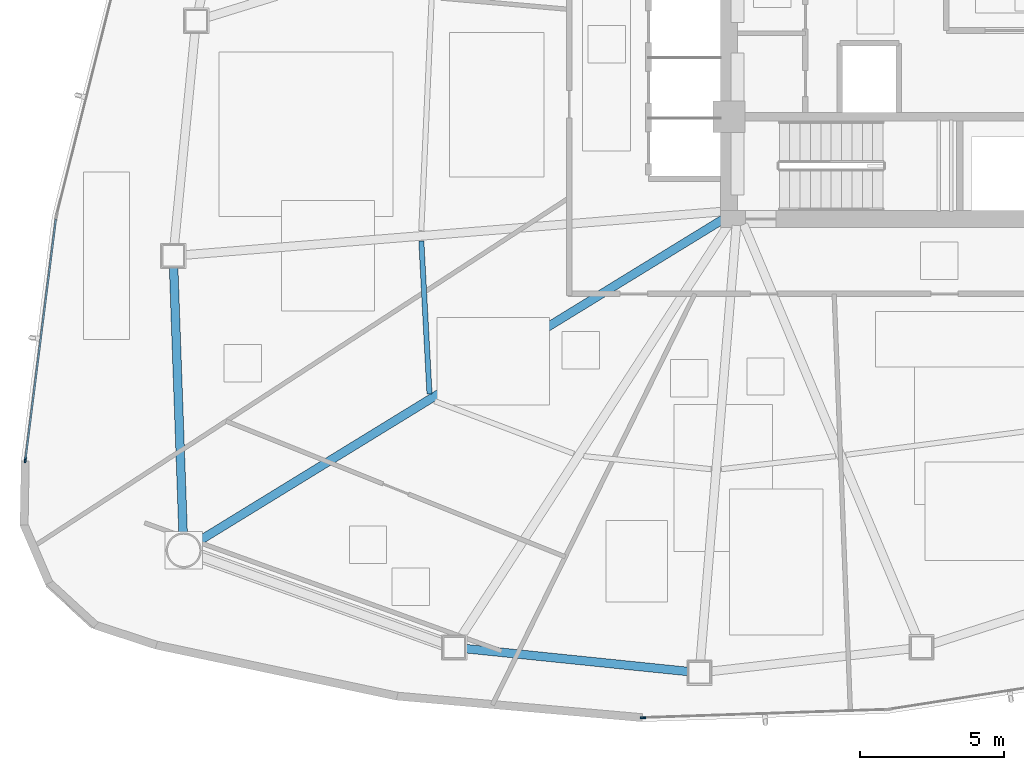
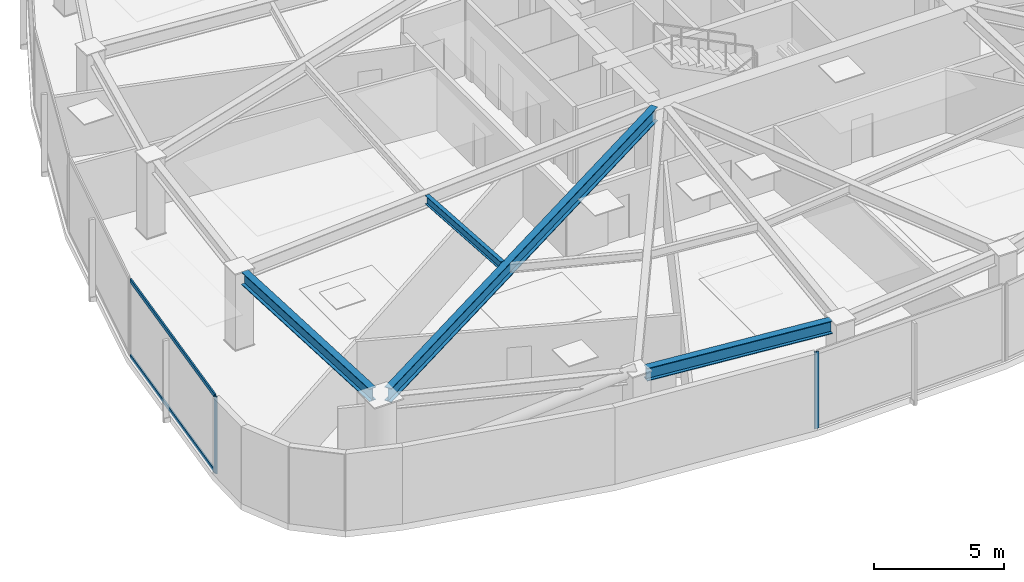
# One storey, part 2 of 18: 4 beams, 4 members, 2 elements without a shape of their own.
"""IFC4 building model written with IfcOpenShell, lengths in metres."""

import ifcopenshell
import ifcopenshell.guid

model = None  # the IFC model being written
_history = None  # IfcOwnerHistory: only IFC2X3 demands one
_inside = {}  # id of a spatial element -> (the spatial element, [elements in it])
_under = {}  # id of a project, library or spatial element -> (it, [spatial elements below it])
_declared = {}  # id of a project -> (the project, [libraries it declares])
_typed = {}  # id of a type object -> (the type object, [elements of that type])
_made_of = {}  # id of a material, layer set ... -> (it, [elements and type objects made of it])


def new_model(schema):
    """Start an empty IFC model of exactly this schema.

    Asked for "IFC4X3", IfcOpenShell would pick the latest addendum, in which some entities
    have other attributes; the version numbers below select the first issue.
    IFC2X3 requires an IfcOwnerHistory on every rooted entity: one is made here for all.
    """
    global model, _history
    if schema == "IFC4X3":
        model = ifcopenshell.file(schema_version=(4, 3, 0, 0))
    else:
        model = ifcopenshell.file(schema=schema)
    _inside.clear()
    _under.clear()
    _declared.clear()
    _typed.clear()
    _made_of.clear()
    _history = None
    if model.schema == "IFC2X3":
        org = make("IfcOrganization", Name="unknown")
        user = make(
            "IfcPersonAndOrganization",
            ThePerson=make("IfcPerson", FamilyName="unknown"),
            TheOrganization=org,
        )
        app = make(
            "IfcApplication",
            ApplicationDeveloper=org,
            Version="unknown",
            ApplicationFullName="unknown",
            ApplicationIdentifier="unknown",
        )
        _history = make(
            "IfcOwnerHistory",
            OwningUser=user,
            OwningApplication=app,
            ChangeAction="ADDED",
            CreationDate=0,
        )
    return model


def make(cls, **values):
    """One entity of the class cls with the attributes given. An attribute that is None is left unset."""
    return model.create_entity(
        cls, **{name: value for name, value in values.items() if value is not None}
    )


def rooted(cls, **values):
    """An entity with a GlobalId (a new one), such as an element, a storey or a relation."""
    return make(cls, GlobalId=ifcopenshell.guid.new(), OwnerHistory=_history, **values)


def si_unit(unit_type, name, prefix=None):
    """IfcSIUnit, for example si_unit("LENGTHUNIT", "METRE", prefix="MILLI")."""
    return make("IfcSIUnit", UnitType=unit_type, Prefix=prefix, Name=name)


def assignment(units):
    """IfcUnitAssignment: the units of a project."""
    return None if units is None else make("IfcUnitAssignment", Units=units)


def point(xyz):
    """IfcCartesianPoint."""
    return None if xyz is None else make("IfcCartesianPoint", Coordinates=xyz)


def direction(xyz):
    """IfcDirection."""
    return None if xyz is None else make("IfcDirection", DirectionRatios=xyz)


def frame(location, z_axis=None, x_axis=None):
    """IfcAxis2Placement3D, a coordinate frame: its origin and axes. An axis left out is left unset."""
    return make(
        "IfcAxis2Placement3D",
        Location=point(location),
        Axis=direction(z_axis),
        RefDirection=direction(x_axis),
    )


def frame_2d(location, x_axis=None):
    """IfcAxis2Placement2D, a coordinate frame in the plane: its origin and x axis."""
    return make(
        "IfcAxis2Placement2D", Location=point(location), RefDirection=direction(x_axis)
    )


def origin():
    """The frame at (0, 0, 0) with its axes left unset."""
    return frame((0.0, 0.0, 0.0))


def origin_2d():
    """The frame at (0, 0) in the plane with its x axis left unset."""
    return frame_2d((0.0, 0.0))


def place(relative_to, where):
    """IfcLocalPlacement: puts the frame where relative to a parent placement (None: the world)."""
    return make(
        "IfcLocalPlacement", PlacementRelTo=relative_to, RelativePlacement=where
    )


def context(
    kind, dimensions, precision=None, world=None, true_north=None, identifier=None
):
    """IfcGeometricRepresentationContext, for example the 3D "Model" context."""
    return make(
        "IfcGeometricRepresentationContext",
        ContextIdentifier=identifier,
        ContextType=kind,
        CoordinateSpaceDimension=dimensions,
        Precision=precision,
        WorldCoordinateSystem=world,
        TrueNorth=true_north,
    )


def subcontext(parent, identifier, kind, view, scale=None):
    """IfcGeometricRepresentationSubContext, for example "Body" below "Model"."""
    return make(
        "IfcGeometricRepresentationSubContext",
        ContextIdentifier=identifier,
        ContextType=kind,
        ParentContext=parent,
        TargetScale=scale,
        TargetView=view,
    )


def project(units=None, contexts=None):
    """IfcProject with its units and contexts."""
    return rooted(
        "IfcProject",
        Name="project",
        RepresentationContexts=contexts,
        UnitsInContext=assignment(units),
    )


def spatial(cls, under=None, at=None, **own):
    """A site, building, storey or space (cls), placed at a placement, below another one or the project."""
    s = rooted(cls, ObjectPlacement=at, **own)
    if under is not None:
        _under.setdefault(under.id(), (under, []))[1].append(s)
    return s


def profile(cls, at=None, kind="AREA", **sizes):
    """A parametric profile (cls). Its sizes go by their IFC names, for example OverallWidth=200.0."""
    return make(cls, ProfileType=kind, Position=at, **sizes)


def hollow_rectangle(**sizes):
    """IfcRectangleHollowProfileDef."""
    return profile("IfcRectangleHollowProfileDef", **sizes)


def i_section(**sizes):
    """IfcIShapeProfileDef."""
    return profile("IfcIShapeProfileDef", **sizes)


def extrude(swept, where, along, depth):
    """IfcExtrudedAreaSolid: the profile swept, set in the frame where, extruded along a direction by depth."""
    return make(
        "IfcExtrudedAreaSolid",
        SweptArea=swept,
        Position=where,
        ExtrudedDirection=direction(along),
        Depth=depth,
    )


def shape(context_of_items, identifier, shape_type, items):
    """IfcShapeRepresentation: the items that make up one representation, for example the "Body"."""
    return make(
        "IfcShapeRepresentation",
        ContextOfItems=context_of_items,
        RepresentationIdentifier=identifier,
        RepresentationType=shape_type,
        Items=items,
    )


def source(mapping_origin, context_of_items, identifier, shape_type, items):
    """IfcRepresentationMap: a shape defined once, which mapped items show again and again."""
    return make(
        "IfcRepresentationMap",
        MappingOrigin=mapping_origin,
        MappedRepresentation=shape(context_of_items, identifier, shape_type, items),
    )


def transform(
    local_origin,
    x_axis=None,
    y_axis=None,
    z_axis=None,
    scale=None,
    scale2=None,
    scale3=None,
    uniform=True,
):
    """IfcCartesianTransformationOperator3D, or its non-uniform kind. x_axis, y_axis, z_axis: its Axis1, 2, 3."""
    if uniform:
        return make(
            "IfcCartesianTransformationOperator3D",
            Axis1=direction(x_axis),
            Axis2=direction(y_axis),
            LocalOrigin=point(local_origin),
            Scale=scale,
            Axis3=direction(z_axis),
        )
    return make(
        "IfcCartesianTransformationOperator3DnonUniform",
        Axis1=direction(x_axis),
        Axis2=direction(y_axis),
        LocalOrigin=point(local_origin),
        Scale=scale,
        Axis3=direction(z_axis),
        Scale2=scale2,
        Scale3=scale3,
    )


def mapped(mapping_source, mapping_target):
    """IfcMappedItem: shows the shape of a source again, moved by a transform."""
    return make(
        "IfcMappedItem", MappingSource=mapping_source, MappingTarget=mapping_target
    )


def material(Name=None, Category=None):
    """IfcMaterial."""
    return make("IfcMaterial", Name=Name, Category=Category)


def layer(
    of_material, thickness, ventilated=None, Name=None, Category=None, Priority=None
):
    """IfcMaterialLayer: one layer of a wall or slab, of a material (None: an air gap)."""
    return make(
        "IfcMaterialLayer",
        Material=of_material,
        LayerThickness=thickness,
        IsVentilated=ventilated,
        Name=Name,
        Category=Category,
        Priority=Priority,
    )


def layer_set(layers, Name=None):
    """IfcMaterialLayerSet."""
    return make("IfcMaterialLayerSet", MaterialLayers=layers, LayerSetName=Name)


def material_profile(
    of_material, cross_section, Name=None, Category=None, Priority=None
):
    """IfcMaterialProfile: a cross section and its material."""
    return make(
        "IfcMaterialProfile",
        Name=Name,
        Material=of_material,
        Profile=cross_section,
        Priority=Priority,
        Category=Category,
    )


def profile_set(profiles, Name=None, composite=None):
    """IfcMaterialProfileSet."""
    return make(
        "IfcMaterialProfileSet",
        Name=Name,
        MaterialProfiles=profiles,
        CompositeProfile=composite,
    )


def made_of(thing, what):
    """Note that an element or type object is made of a material, layer set ...; save() writes the relation."""
    if what is not None:
        _made_of.setdefault(what.id(), (what, []))[1].append(thing)
    return thing


def type_object(cls, material=None, **own):
    """A type object (cls), such as IfcWallType, which elements share."""
    return made_of(rooted(cls, **own), material)


def type_shapes(of_type, sources):
    """Give a type object the sources (RepresentationMaps) that its elements show as mapped items."""
    of_type.RepresentationMaps = sources


def element(
    cls,
    number,
    at=None,
    inside=None,
    cuts=None,
    type_object=None,
    material=None,
    context=None,
    identifier="Body",
    shape_type=None,
    held_by="IfcProductDefinitionShape",
    body=None,
    shapes=None,
    **own,
):
    """One element of the class cls, such as IfcWall. Its Tag is "e" and its number.

    at: its placement. inside: the storey or other place that contains it. cuts: it is an
    opening in that element (IfcRelVoidsElement). A single representation is given by context,
    identifier, shape_type and body (its items); several are given by shapes. held_by: the class
    of the entity that holds the representations. save() writes the other relations.
    """
    e = rooted(cls, Tag="e%d" % number, ObjectPlacement=at, **own)
    if body is not None:
        shapes = [shape(context, identifier, shape_type, body)]
    if shapes is not None:
        e.Representation = make(held_by, Representations=shapes)
    if inside is not None:
        _inside.setdefault(inside.id(), (inside, []))[1].append(e)
    if cuts is not None:
        rooted(
            "IfcRelVoidsElement", RelatingBuildingElement=cuts, RelatedOpeningElement=e
        )
    if type_object is not None:
        _typed.setdefault(type_object.id(), (type_object, []))[1].append(e)
    return made_of(e, material)


def aggregate(whole, parts):
    """IfcRelAggregates: a whole, such as a stair, and the parts it consists of."""
    return rooted("IfcRelAggregates", RelatingObject=whole, RelatedObjects=parts)


def save(model, path):
    """Write the relations noted so far, then the file.

    IfcRelAggregates (storeys below a building ...), IfcRelContainedInSpatialStructure (elements
    in a storey), IfcRelDefinesByType, IfcRelAssociatesMaterial and IfcRelDeclares: one each for
    every whole, place, type object, material and project.
    """
    for whole, parts in _under.values():
        aggregate(whole, parts)
    for where, things in _inside.values():
        rooted(
            "IfcRelContainedInSpatialStructure",
            RelatedElements=things,
            RelatingStructure=where,
        )
    for kind, things in _typed.values():
        rooted("IfcRelDefinesByType", RelatedObjects=things, RelatingType=kind)
    for what, things in _made_of.values():
        rooted("IfcRelAssociatesMaterial", RelatedObjects=things, RelatingMaterial=what)
    for by, libraries in _declared.values():
        rooted("IfcRelDeclares", RelatingContext=by, RelatedDefinitions=libraries)
    model.write(path)


model = new_model("IFC4")

# Units and contexts
model_context = context("Model", 3, precision=1e-05, world=origin(), true_north=direction((0.0, 1.0)))
body_context = subcontext(model_context, "Body", "Model", "MODEL_VIEW")
ifc_project = project(units=[si_unit("LENGTHUNIT", "METRE"), si_unit("AREAUNIT", "SQUARE_METRE"), si_unit("VOLUMEUNIT", "CUBIC_METRE"), si_unit("PLANEANGLEUNIT", "RADIAN"), si_unit("MASSUNIT", "GRAM", prefix="KILO")], contexts=[model_context])

# Site, building, storey
site_placement = place(None, origin())
site = spatial("IfcSite", under=ifc_project, at=site_placement, CompositionType="ELEMENT")
building_placement = place(site_placement, origin())
building = spatial("IfcBuilding", under=site, at=building_placement, Name="Tavelor Broadcast Tower", CompositionType="ELEMENT")
storey_placement = place(building_placement, frame((0.0, 0.0, 47.10009765625)))
storey = spatial("IfcBuildingStorey", under=building, at=storey_placement, Name="L10", CompositionType="ELEMENT", Elevation=47.10009765625)

# Beams
ifc_material_1 = material(Name="Steel S355", Category="steel")
ifc_material_profile_1 = material_profile(ifc_material_1, i_section(OverallWidth=0.179931640625, OverallDepth=0.39990234375, WebThickness=0.008544921875, FlangeThickness=0.013427734375, at=origin_2d()), Name="IPE 400")
ifc_profile_set_1 = profile_set([ifc_material_profile_1], Name="Steel S355")
beam_type_1 = type_object("IfcBeamType", Name="Composite Floor Joist T1 IPE 400", PredefinedType="JOIST", material=ifc_profile_set_1)
beam_1_placement = place(storey_placement, frame((32.413330078125, 37.73095703125, 3.39990234375), z_axis=(0.053261912521, -0.998580576956, 0.0), x_axis=(0.998580576956, 0.053261912521, 0.0)))
element("IfcBeam", 1, at=beam_1_placement, inside=storey, type_object=beam_type_1, Name="L10 Secondary Composite Floor Joist 06", PredefinedType="JOIST", context=body_context, shape_type="SweptSolid", body=[
    extrude(i_section(OverallWidth=0.179931640625, OverallDepth=0.39990234375, WebThickness=0.008544921875, FlangeThickness=0.013427734375, at=origin_2d()), origin(), (0.0, 0.0, 1.0), 5.32177734375),
])
ifc_material_profile_2 = material_profile(ifc_material_1, i_section(OverallWidth=0.300048828125, OverallDepth=0.60009765625, WebThickness=0.015380859375, FlangeThickness=0.030029296875, at=origin_2d()), Name="HEB 600")
ifc_profile_set_2 = profile_set([ifc_material_profile_2], Name="Steel S355")
beam_type_2 = type_object("IfcBeamType", Name="Perimeter Spandrel Beam T1 HEB 600", PredefinedType="SPANDREL", material=ifc_profile_set_2)
beam_2_placement = place(storey_placement, frame((23.808349609375, 36.83251953125, 3.2998046875), z_axis=(0.035604109309, -0.999365972705, 0.0), x_axis=(0.999365972705, 0.035604109309, 0.0)))
element("IfcBeam", 2, at=beam_2_placement, inside=storey, type_object=beam_type_2, Name="L10 Framed-Tube Ring Spandrel 06", PredefinedType="SPANDREL", context=body_context, shape_type="SweptSolid", body=[
    extrude(i_section(OverallWidth=0.300048828125, OverallDepth=0.60009765625, WebThickness=0.015380859375, FlangeThickness=0.030029296875, at=origin_2d()), origin(), (0.0, 0.0, 1.0), 9.263916015625),
])
beam_3_placement = place(storey_placement, frame((33.932861328125, 23.576416015625, 3.2998046875), z_axis=(0.994769619219, -0.102144038879, 0.0), x_axis=(0.102144038879, 0.994769619219, 0.0)))
element("IfcBeam", 3, at=beam_3_placement, inside=storey, type_object=beam_type_2, Name="L10 Framed-Tube Ring Spandrel 08", PredefinedType="SPANDREL", context=body_context, shape_type="SweptSolid", body=[
    extrude(i_section(OverallWidth=0.300048828125, OverallDepth=0.60009765625, WebThickness=0.015380859375, FlangeThickness=0.030029296875, at=origin_2d()), origin(), (0.0, 0.0, 1.0), 7.799072265625),
])
ifc_material_profile_3 = material_profile(ifc_material_1, i_section(OverallWidth=0.300048828125, OverallDepth=0.64990234375, WebThickness=0.01611328125, FlangeThickness=0.031005859375, at=origin_2d()), Name="HEB 650")
ifc_profile_set_3 = profile_set([ifc_material_profile_3], Name="Steel S355")
beam_type_3 = type_object("IfcBeamType", Name="Radial Floor Girder T1 HEB 650", PredefinedType="BEAM", material=ifc_profile_set_3)
beam_4_placement = place(storey_placement, frame((42.949951171875, 38.523681640625, 3.27490234375), z_axis=(-0.852260376483, -0.523117817205, 0.0), x_axis=(0.523117817205, -0.852260376483, 0.0)))
element("IfcBeam", 4, at=beam_4_placement, inside=storey, type_object=beam_type_3, Name="L10 Radial Primary Floor Girder 07", PredefinedType="BEAM", context=body_context, shape_type="SweptSolid", body=[
    extrude(i_section(OverallWidth=0.300048828125, OverallDepth=0.64990234375, WebThickness=0.01611328125, FlangeThickness=0.031005859375, at=origin_2d()), origin(), (0.0, 0.0, 1.0), 21.463134765625),
])

# Curtain wall, member
ifc_material_2 = material(Name="Architectural Anodized Aluminium", Category="aluminium")
ifc_layer = layer(ifc_material_2, 0.179931640625)
ifc_layer_set = layer_set([ifc_layer], Name="Architectural Anodized Aluminium")
curtain_wall_type = type_object("IfcCurtainWallType", Name="Tower Low-Zone Unitised Curtain Wall CW02", PredefinedType="NOTDEFINED", material=ifc_layer_set)
curtain_wall_1_placement = place(storey_placement, origin())
curtain_wall_1 = element("IfcCurtainWall", 5, at=curtain_wall_1_placement, inside=storey, type_object=curtain_wall_type, Name="L10 Curtain Wall CW02 Run 76", PredefinedType="NOTDEFINED")
ifc_material_profile_4 = material_profile(ifc_material_2, hollow_rectangle(XDim=0.06494140625, YDim=0.179931640625, WallThickness=0.02197265625, at=origin_2d()), Name="RHS 65x180x22")
ifc_profile_set_4 = profile_set([ifc_material_profile_4], Name="Architectural Anodized Aluminium")
member_type_1 = type_object("IfcMemberType", Name="CW02 Extruded Aluminium Mullion 65x180", PredefinedType="MULLION", material=ifc_profile_set_4)
shared_shape_1 = source(origin(), body_context, "Body", "SweptSolid", [
    extrude(hollow_rectangle(XDim=0.06494140625, YDim=0.179931640625, WallThickness=0.02197265625, at=origin_2d()), origin(), (0.0, 0.0, 1.0), 3.599853515625),
])
type_shapes(member_type_1, [shared_shape_1])
member_1_placement = place(storey_placement, frame((18.6572265625, 30.124755859375, 0.0), z_axis=(0.0, 0.0, 1.0), x_axis=(0.992062656931, -0.125744521639, 0.0)))
member_1 = element("IfcMember", 6, at=member_1_placement, type_object=member_type_1, Name="CW02 mullion 2", PredefinedType="MULLION", context=body_context, shape_type="MappedRepresentation", body=[
    mapped(shared_shape_1, transform((0.0, 0.0, 0.0), scale=1.0)),
])

curtain_wall_2_placement = place(storey_placement, origin())
curtain_wall_2 = element("IfcCurtainWall", 7, at=curtain_wall_2_placement, inside=storey, type_object=curtain_wall_type, Name="L10 Curtain Wall CW02 Run 77", PredefinedType="NOTDEFINED")
member_2_placement = place(storey_placement, frame((40.11181640625, 21.1767578125, 0.0), z_axis=(0.0, 0.0, 1.0), x_axis=(-0.033578147223, 0.99943609502, 0.0)))
member_2 = element("IfcMember", 8, at=member_2_placement, type_object=member_type_1, Name="CW02 mullion 1", PredefinedType="MULLION", context=body_context, shape_type="MappedRepresentation", body=[
    mapped(shared_shape_1, transform((0.0, 0.0, 0.0), scale=1.0)),
])
aggregate(curtain_wall_2, [member_2])

# Member
ifc_material_profile_5 = material_profile(ifc_material_2, hollow_rectangle(XDim=0.06494140625, YDim=0.179931640625, WallThickness=0.02197265625, at=origin_2d()), Name="RHS 65x180x22")
ifc_profile_set_5 = profile_set([ifc_material_profile_5], Name="Architectural Anodized Aluminium")
member_type_2 = type_object("IfcMemberType", Name="CW02 Extruded Aluminium Transom 65x180", PredefinedType="USERDEFINED", material=ifc_profile_set_5)
shared_shape_2 = source(origin(), body_context, "Body", "SweptSolid", [
    extrude(hollow_rectangle(XDim=0.06494140625, YDim=0.179931640625, WallThickness=0.02197265625, at=origin_2d()), origin(), (0.0, 0.0, 1.0), 8.40625),
])
type_shapes(member_type_2, [shared_shape_2])
member_3_placement = place(storey_placement, frame((19.718505859375, 38.49658203125, 0.032470703125), z_axis=(-0.125753862173, -0.992061472969, 0.0), x_axis=(0.992061472969, -0.125753862173, 0.0)))
member_3 = element("IfcMember", 9, at=member_3_placement, type_object=member_type_2, Name="CW02 transom 1.1", ObjectType="TRANSOM", PredefinedType="USERDEFINED", context=body_context, shape_type="MappedRepresentation", body=[
    mapped(shared_shape_2, transform((0.0, 0.0, 0.0), scale=1.0)),
])

member_4_placement = place(storey_placement, frame((19.718505859375, 38.49658203125, 3.5673828125), z_axis=(-0.125753862173, -0.992061472969, 0.0), x_axis=(0.992061472969, -0.125753862173, 0.0)))
member_4 = element("IfcMember", 10, at=member_4_placement, type_object=member_type_2, Name="CW02 transom 1.2", ObjectType="TRANSOM", PredefinedType="USERDEFINED", context=body_context, shape_type="MappedRepresentation", body=[
    mapped(shared_shape_2, transform((0.0, 0.0, 0.0), scale=1.0)),
])

aggregate(curtain_wall_1, [member_1, member_3, member_4])

save(model, "model.ifc")
